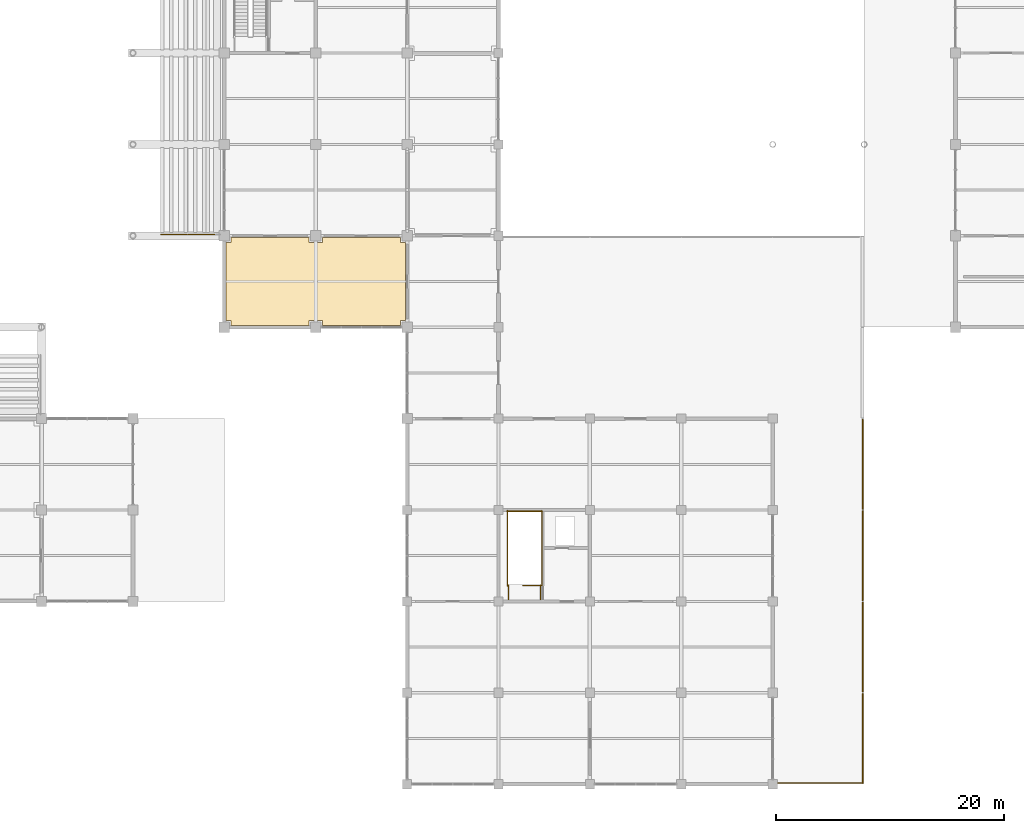
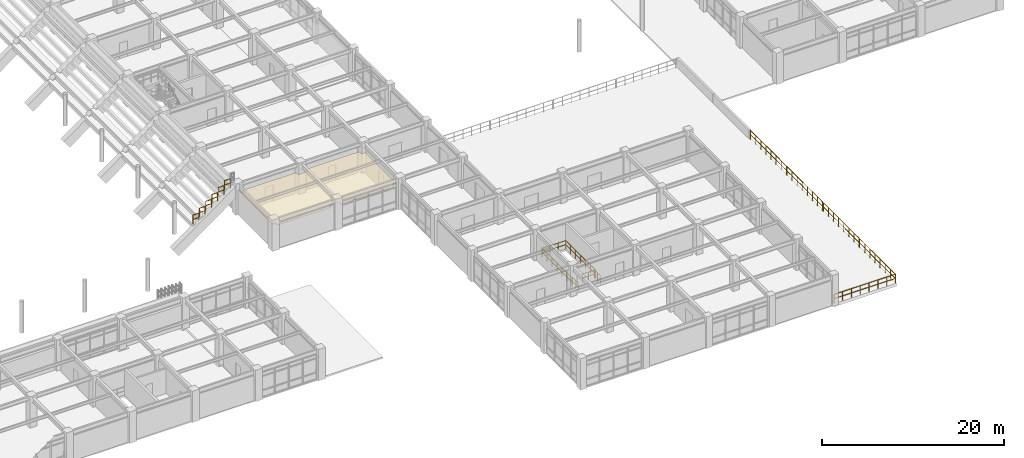
# One storey, part 111 of 118: 17 railings, 1 covering.
"""IFC4 building model written with IfcOpenShell, lengths in metres."""

from ifc_helpers import new_model, si_unit, direction, frame, origin, origin_2d, place, context, subcontext, project, spatial, polyline, circle, outline, extrude, material, layer, layer_set, type_object, element, save


model = new_model("IFC4")

# Units and contexts
model_context = context("Model", 3, precision=1e-05, world=origin(), true_north=direction((0.0, 1.0)))
body_context = subcontext(model_context, "Body", "Model", "MODEL_VIEW")
ifc_project = project(units=[si_unit("LENGTHUNIT", "METRE"), si_unit("AREAUNIT", "SQUARE_METRE"), si_unit("VOLUMEUNIT", "CUBIC_METRE"), si_unit("PLANEANGLEUNIT", "RADIAN"), si_unit("MASSUNIT", "GRAM", prefix="KILO")], contexts=[model_context])

# Site, building, storey
site_placement = place(None, origin())
site = spatial("IfcSite", under=ifc_project, at=site_placement, CompositionType="ELEMENT")
building_placement = place(site_placement, origin())
building = spatial("IfcBuilding", under=site, at=building_placement, Name="Haebicheon Civic Stadium", CompositionType="ELEMENT")
storey_placement = place(building_placement, frame((0.0, 0.0, 14.39990234375)))
storey = spatial("IfcBuildingStorey", under=building, at=storey_placement, Name="L04", CompositionType="ELEMENT", Elevation=14.39990234375)

# Covering
ifc_material_1 = material(Name="Perforated mineral-fibre acoustic board", Category="gypsum")
ifc_layer = layer(ifc_material_1, 0.0400390625, Name="Perforated mineral-fibre acoustic board")
ifc_layer_set = layer_set([ifc_layer], Name="Perforated mineral-fibre acoustic board")
covering_type = type_object("IfcCoveringType", Name="COV-CLG-AC", PredefinedType="CEILING", material=ifc_layer_set)
covering_placement = place(storey_placement, frame((0.0, 0.0, 2.81005859375)))
element("IfcCovering", 1, at=covering_placement, inside=storey, type_object=covering_type, material=ifc_layer_set, Name="L04 Hospitality Suite acoustic ceiling", PredefinedType="CEILING", context=body_context, shape_type="SweptSolid", body=[
    extrude(outline(polyline([(144.14501953125, 47.405029296875), (144.594970703125, 47.405029296875), (144.594970703125, 47.85498046875), (151.405029296875, 47.85498046875), (151.405029296875, 47.405029296875), (152.594970703125, 47.405029296875), (152.594970703125, 47.85498046875), (159.405029296875, 47.85498046875), (159.405029296875, 47.405029296875), (159.85498046875, 47.405029296875), (159.85498046875, 40.594970703125), (159.405029296875, 40.594970703125), (159.405029296875, 40.14501953125), (152.594970703125, 40.14501953125), (152.594970703125, 40.594970703125), (151.405029296875, 40.594970703125), (151.405029296875, 40.14501953125), (144.594970703125, 40.14501953125), (144.594970703125, 40.594970703125), (144.14501953125, 40.594970703125), (144.14501953125, 47.405029296875)])), origin(), (0.0, 0.0, 1.0), 0.0400390625),
])

# Railings
ifc_material_2 = material(Name="Stainless steel 316 and laminated glass", Category="steel")
railing_type_1 = type_object("IfcRailingType", Name="RL-BAL-1200", PredefinedType="BALUSTRADE", material=ifc_material_2)
railing_1_placement = place(storey_placement, frame((192.080078125, 0.1201171875, 0.0)))
element("IfcRailing", 2, at=railing_1_placement, inside=storey, type_object=railing_type_1, material=ifc_material_2, Name="L04 terrace perimeter balustrade 07", PredefinedType="BALUSTRADE", context=body_context, shape_type="SweptSolid", body=[
    extrude(circle(Radius=0.02392578125, at=origin_2d()), frame((0.0, 0.0, 1.17578125), z_axis=(1.0, 0.0, 0.0), x_axis=(0.0, 1.0, 0.0)), (0.0, 0.0, 1.0), 7.83984375),
    extrude(circle(Radius=0.02392578125, at=origin_2d()), frame((0.0, 0.0, 0.60009765625), z_axis=(1.0, 0.0, 0.0), x_axis=(0.0, 1.0, 0.0)), (0.0, 0.0, 1.0), 7.83984375),
    extrude(circle(Radius=0.02099609375, at=origin_2d()), origin(), (0.0, 0.0, 1.0), 1.15185546875),
    extrude(circle(Radius=0.02099609375, at=origin_2d()), frame((1.119873046875, 0.0, 0.0)), (0.0, 0.0, 1.0), 1.15185546875),
    extrude(circle(Radius=0.02099609375, at=origin_2d()), frame((2.239990234375, 0.0, 0.0)), (0.0, 0.0, 1.0), 1.15185546875),
    extrude(circle(Radius=0.02099609375, at=origin_2d()), frame((3.35986328125, 0.0, 0.0)), (0.0, 0.0, 1.0), 1.15185546875),
    extrude(circle(Radius=0.02099609375, at=origin_2d()), frame((4.47998046875, 0.0, 0.0)), (0.0, 0.0, 1.0), 1.15185546875),
    extrude(circle(Radius=0.02099609375, at=origin_2d()), frame((5.599853515625, 0.0, 0.0)), (0.0, 0.0, 1.0), 1.15185546875),
    extrude(circle(Radius=0.02099609375, at=origin_2d()), frame((6.719970703125, 0.0, 0.0)), (0.0, 0.0, 1.0), 1.15185546875),
    extrude(circle(Radius=0.02099609375, at=origin_2d()), frame((7.83984375, 0.0, 0.0)), (0.0, 0.0, 1.0), 1.15185546875),
])
for number, where, name in (
    (3, (199.8798828125, 0.080078125, 0.0), "L04 terrace perimeter balustrade 08"),
    (4, (199.8798828125, 8.080078125, 0.0), "L04 terrace perimeter balustrade 09"),
    (5, (199.8798828125, 16.080078125, 0.0), "L04 terrace perimeter balustrade 10"),
    (6, (199.8798828125, 24.080078125, 0.0), "L04 terrace perimeter balustrade 11"),
):
    element("IfcRailing", number, at=place(storey_placement, frame(where)), inside=storey, type_object=railing_type_1, material=ifc_material_2, Name=name, PredefinedType="BALUSTRADE", context=body_context, shape_type="SweptSolid", body=[
        extrude(circle(Radius=0.02392578125, at=origin_2d()), frame((0.0, 0.0, 1.17578125), z_axis=(0.0, 1.0, 0.0), x_axis=(-1.0, 0.0, 0.0)), (0.0, 0.0, 1.0), 7.83984375),
        extrude(circle(Radius=0.02392578125, at=origin_2d()), frame((0.0, 0.0, 0.60009765625), z_axis=(0.0, 1.0, 0.0), x_axis=(-1.0, 0.0, 0.0)), (0.0, 0.0, 1.0), 7.83984375),
        extrude(circle(Radius=0.02099609375, at=origin_2d()), origin(), (0.0, 0.0, 1.0), 1.15185546875),
        extrude(circle(Radius=0.02099609375, at=origin_2d()), frame((0.0, 1.119873046875, 0.0)), (0.0, 0.0, 1.0), 1.15185546875),
        extrude(circle(Radius=0.02099609375, at=origin_2d()), frame((0.0, 2.239990234375, 0.0)), (0.0, 0.0, 1.0), 1.15185546875),
        extrude(circle(Radius=0.02099609375, at=origin_2d()), frame((0.0, 3.35986328125, 0.0)), (0.0, 0.0, 1.0), 1.15185546875),
        extrude(circle(Radius=0.02099609375, at=origin_2d()), frame((0.0, 4.47998046875, 0.0)), (0.0, 0.0, 1.0), 1.15185546875),
        extrude(circle(Radius=0.02099609375, at=origin_2d()), frame((0.0, 5.599853515625, 0.0)), (0.0, 0.0, 1.0), 1.15185546875),
        extrude(circle(Radius=0.02099609375, at=origin_2d()), frame((0.0, 6.719970703125, 0.0)), (0.0, 0.0, 1.0), 1.15185546875),
        extrude(circle(Radius=0.02099609375, at=origin_2d()), frame((0.0, 7.83984375, 0.0)), (0.0, 0.0, 1.0), 1.15185546875),
    ])
for number, where, name in (
    (7, (138.43994140625, 48.10009765625, 0.3330078125), "TIER-E-U end-aisle side guard S.4"),
    (8, (139.239990234375, 48.10009765625, 0.97802734375), "TIER-E-U end-aisle side guard S.5"),
    (9, (140.0400390625, 48.10009765625, 1.6220703125), "TIER-E-U end-aisle side guard S.6"),
    (10, (140.840087890625, 48.10009765625, 2.26708984375), "TIER-E-U end-aisle side guard S.7"),
):
    element("IfcRailing", number, at=place(storey_placement, frame(where)), inside=storey, type_object=railing_type_1, material=ifc_material_2, Name=name, PredefinedType="BALUSTRADE", context=body_context, shape_type="SweptSolid", body=[
        extrude(circle(Radius=0.02392578125, at=origin_2d()), frame((0.0, 0.0, 1.17578125), z_axis=(1.0, 0.0, 0.0), x_axis=(0.0, 1.0, 0.0)), (0.0, 0.0, 1.0), 0.719970703125),
        extrude(circle(Radius=0.02392578125, at=origin_2d()), frame((0.0, 0.0, 0.60009765625), z_axis=(1.0, 0.0, 0.0), x_axis=(0.0, 1.0, 0.0)), (0.0, 0.0, 1.0), 0.719970703125),
        extrude(circle(Radius=0.02099609375, at=origin_2d()), origin(), (0.0, 0.0, 1.0), 1.15185546875),
        extrude(circle(Radius=0.02099609375, at=origin_2d()), frame((0.719970703125, 0.0, 0.0)), (0.0, 0.0, 1.0), 1.15185546875),
    ])
railing_2_placement = place(storey_placement, frame((141.639892578125, 48.10009765625, 2.9111328125)))
element("IfcRailing", 11, at=railing_2_placement, inside=storey, type_object=railing_type_1, material=ifc_material_2, Name="TIER-E-U end-aisle side guard S.8", PredefinedType="BALUSTRADE", context=body_context, shape_type="SweptSolid", body=[
    extrude(circle(Radius=0.02392578125, at=origin_2d()), frame((0.0, 0.0, 1.17578125), z_axis=(1.0, 0.0, 0.0), x_axis=(0.0, 1.0, 0.0)), (0.0, 0.0, 1.0), 0.72021484375),
    extrude(circle(Radius=0.02392578125, at=origin_2d()), frame((0.0, 0.0, 0.60009765625), z_axis=(1.0, 0.0, 0.0), x_axis=(0.0, 1.0, 0.0)), (0.0, 0.0, 1.0), 0.72021484375),
    extrude(circle(Radius=0.02099609375, at=origin_2d()), origin(), (0.0, 0.0, 1.0), 1.15185546875),
    extrude(circle(Radius=0.02099609375, at=origin_2d()), frame((0.72021484375, 0.0, 0.0)), (0.0, 0.0, 1.0), 1.15185546875),
])
railing_3_placement = place(storey_placement, frame((142.43994140625, 48.10009765625, 3.55615234375)))
element("IfcRailing", 12, at=railing_3_placement, inside=storey, type_object=railing_type_1, material=ifc_material_2, Name="TIER-E-U end-aisle side guard S.9", PredefinedType="BALUSTRADE", context=body_context, shape_type="SweptSolid", body=[
    extrude(circle(Radius=0.02392578125, at=origin_2d()), frame((0.0, 0.0, 1.17578125), z_axis=(1.0, 0.0, 0.0), x_axis=(0.0, 1.0, 0.0)), (0.0, 0.0, 1.0), 0.719970703125),
    extrude(circle(Radius=0.02392578125, at=origin_2d()), frame((0.0, 0.0, 0.60009765625), z_axis=(1.0, 0.0, 0.0), x_axis=(0.0, 1.0, 0.0)), (0.0, 0.0, 1.0), 0.719970703125),
    extrude(circle(Radius=0.02099609375, at=origin_2d()), origin(), (0.0, 0.0, 1.0), 1.15185546875),
    extrude(circle(Radius=0.02099609375, at=origin_2d()), frame((0.719970703125, 0.0, 0.0)), (0.0, 0.0, 1.0), 1.15185546875),
])
ifc_material_3 = material(Name="Galvanised painted steel SM355", Category="steel")
railing_type_2 = type_object("IfcRailingType", Name="RL-GRD-1150", PredefinedType="GUARDRAIL", material=ifc_material_3)
railing_4_placement = place(storey_placement, frame((171.739990234375, 17.39990234375, 0.0)))
element("IfcRailing", 13, at=railing_4_placement, inside=storey, type_object=railing_type_2, material=ifc_material_3, Name="L04 ST-14 top well guard 1", PredefinedType="GUARDRAIL", context=body_context, shape_type="SweptSolid", body=[
    extrude(circle(Radius=0.02392578125, at=origin_2d()), frame((0.0, 0.0, 1.1259765625), z_axis=(-1.0, 0.0, 0.0), x_axis=(0.0, -1.0, 0.0)), (0.0, 0.0, 1.0), 1.619873046875),
    extrude(circle(Radius=0.02392578125, at=origin_2d()), frame((0.0, 0.0, 0.574951171875), z_axis=(-1.0, 0.0, 0.0), x_axis=(0.0, -1.0, 0.0)), (0.0, 0.0, 1.0), 1.619873046875),
    extrude(circle(Radius=0.02099609375, at=origin_2d()), origin(), (0.0, 0.0, 1.0), 1.101806640625),
    extrude(circle(Radius=0.02099609375, at=origin_2d()), frame((-0.81005859375, 0.0, 0.0)), (0.0, 0.0, 1.0), 1.101806640625),
    extrude(circle(Radius=0.02099609375, at=origin_2d()), frame((-1.619873046875, 0.0, 0.0)), (0.0, 0.0, 1.0), 1.101806640625),
])
for number, where, name in (
    (14, (171.7900390625, 17.35009765625, 0.0), "L04 ST-14 top well guard 2"),
    (15, (168.7900390625, 17.35009765625, 0.0), "L04 ST-14 top well guard 3"),
):
    element("IfcRailing", number, at=place(storey_placement, frame(where)), inside=storey, type_object=railing_type_2, material=ifc_material_3, Name=name, PredefinedType="GUARDRAIL", context=body_context, shape_type="SweptSolid", body=[
        extrude(circle(Radius=0.02392578125, at=origin_2d()), frame((0.0, 0.0, 1.1259765625), z_axis=(0.0, 1.0, 0.0), x_axis=(-1.0, 0.0, 0.0)), (0.0, 0.0, 1.0), 6.58984375),
        extrude(circle(Radius=0.02392578125, at=origin_2d()), frame((0.0, 0.0, 0.574951171875), z_axis=(0.0, 1.0, 0.0), x_axis=(-1.0, 0.0, 0.0)), (0.0, 0.0, 1.0), 6.58984375),
        extrude(circle(Radius=0.02099609375, at=origin_2d()), origin(), (0.0, 0.0, 1.0), 1.101806640625),
        extrude(circle(Radius=0.02099609375, at=origin_2d()), frame((0.0, 1.098388671875, 0.0)), (0.0, 0.0, 1.0), 1.101806640625),
        extrude(circle(Radius=0.02099609375, at=origin_2d()), frame((0.0, 2.196533203125, 0.0)), (0.0, 0.0, 1.0), 1.101806640625),
        extrude(circle(Radius=0.02099609375, at=origin_2d()), frame((0.0, 3.294921875, 0.0)), (0.0, 0.0, 1.0), 1.101806640625),
        extrude(circle(Radius=0.02099609375, at=origin_2d()), frame((0.0, 4.393310546875, 0.0)), (0.0, 0.0, 1.0), 1.101806640625),
        extrude(circle(Radius=0.02099609375, at=origin_2d()), frame((0.0, 5.491455078125, 0.0)), (0.0, 0.0, 1.0), 1.101806640625),
        extrude(circle(Radius=0.02099609375, at=origin_2d()), frame((0.0, 6.58984375, 0.0)), (0.0, 0.0, 1.0), 1.101806640625),
    ])
railing_5_placement = place(storey_placement, frame((171.840087890625, 23.889892578125, 0.0)))
element("IfcRailing", 16, at=railing_5_placement, inside=storey, type_object=railing_type_2, material=ifc_material_3, Name="L04 ST-14 top well guard 4", PredefinedType="GUARDRAIL", context=body_context, shape_type="SweptSolid", body=[
    extrude(circle(Radius=0.02392578125, at=origin_2d()), frame((0.0, 0.0, 1.1259765625), z_axis=(-1.0, 0.0, 0.0), x_axis=(0.0, -1.0, 0.0)), (0.0, 0.0, 1.0), 3.10009765625),
    extrude(circle(Radius=0.02392578125, at=origin_2d()), frame((0.0, 0.0, 0.574951171875), z_axis=(-1.0, 0.0, 0.0), x_axis=(0.0, -1.0, 0.0)), (0.0, 0.0, 1.0), 3.10009765625),
    extrude(circle(Radius=0.02099609375, at=origin_2d()), origin(), (0.0, 0.0, 1.0), 1.101806640625),
    extrude(circle(Radius=0.02099609375, at=origin_2d()), frame((-1.033447265625, 0.0, 0.0)), (0.0, 0.0, 1.0), 1.101806640625),
    extrude(circle(Radius=0.02099609375, at=origin_2d()), frame((-2.066650390625, 0.0, 0.0)), (0.0, 0.0, 1.0), 1.101806640625),
    extrude(circle(Radius=0.02099609375, at=origin_2d()), frame((-3.10009765625, 0.0, 0.0)), (0.0, 0.0, 1.0), 1.101806640625),
])
for number, where, name in (
    (17, (171.68994140625, 16.159912109375, 0.0), "L04 ST-14 top well guard 5"),
    (18, (168.889892578125, 16.159912109375, 0.0), "L04 ST-14 top well guard 6"),
):
    element("IfcRailing", number, at=place(storey_placement, frame(where)), inside=storey, type_object=railing_type_2, material=ifc_material_3, Name=name, PredefinedType="GUARDRAIL", context=body_context, shape_type="SweptSolid", body=[
        extrude(circle(Radius=0.02392578125, at=origin_2d()), frame((0.0, 0.0, 1.1259765625), z_axis=(0.0, 1.0, 0.0), x_axis=(-1.0, 0.0, 0.0)), (0.0, 0.0, 1.0), 1.2900390625),
        extrude(circle(Radius=0.02392578125, at=origin_2d()), frame((0.0, 0.0, 0.574951171875), z_axis=(0.0, 1.0, 0.0), x_axis=(-1.0, 0.0, 0.0)), (0.0, 0.0, 1.0), 1.2900390625),
        extrude(circle(Radius=0.02099609375, at=origin_2d()), origin(), (0.0, 0.0, 1.0), 1.101806640625),
        extrude(circle(Radius=0.02099609375, at=origin_2d()), frame((0.0, 0.64501953125, 0.0)), (0.0, 0.0, 1.0), 1.101806640625),
        extrude(circle(Radius=0.02099609375, at=origin_2d()), frame((0.0, 1.2900390625, 0.0)), (0.0, 0.0, 1.0), 1.101806640625),
    ])

save(model, "model.ifc")
